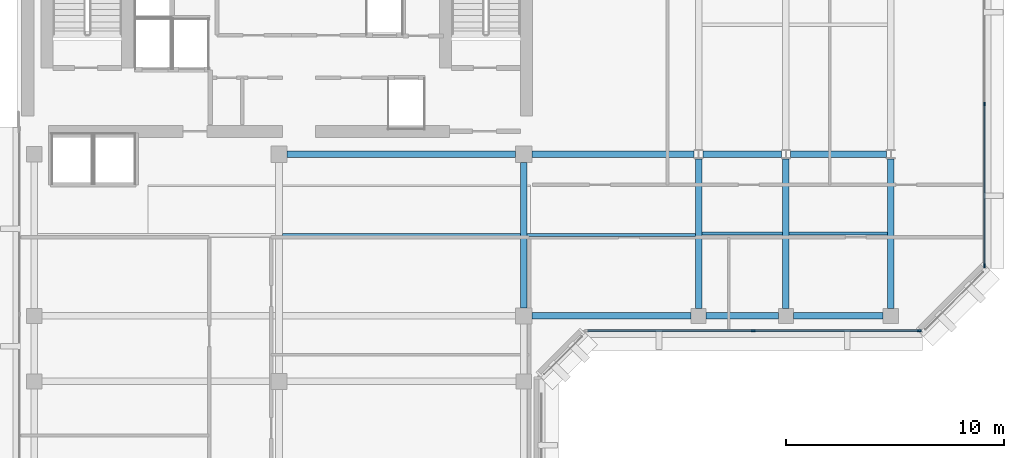
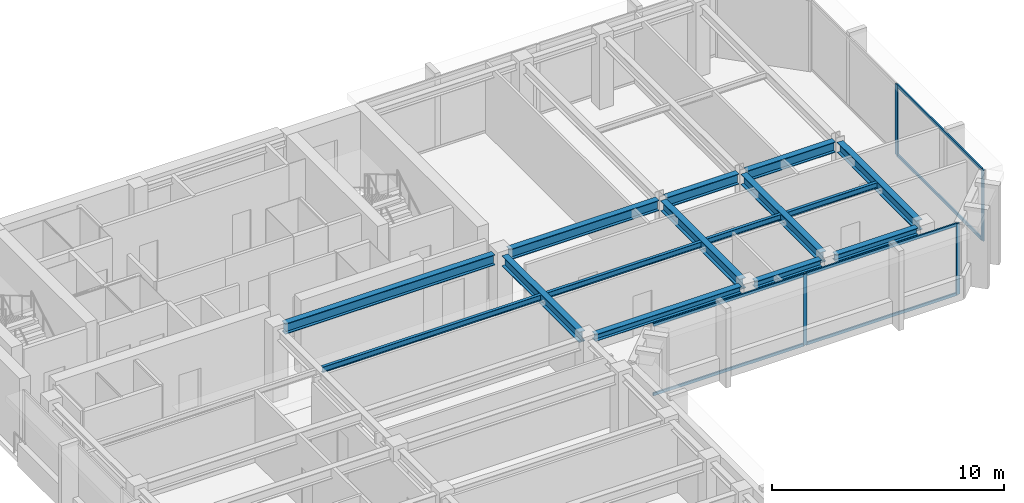
# One storey, part 3 of 11: 15 beams, 10 members, 2 elements without a shape of their own.
"""IFC4 building model written with IfcOpenShell, lengths in metres."""

from ifc_helpers import new_model, si_unit, direction, frame, origin, origin_2d, place, context, subcontext, project, spatial, rectangle, i_section, extrude, material, layer, layer_set, material_profile, profile_set, type_object, element, aggregate, save


model = new_model("IFC4")

# Units and contexts
model_context = context("Model", 3, precision=1e-05, world=origin(), true_north=direction((0.0, 1.0)))
body_context = subcontext(model_context, "Body", "Model", "MODEL_VIEW")
ifc_project = project(units=[si_unit("LENGTHUNIT", "METRE"), si_unit("AREAUNIT", "SQUARE_METRE"), si_unit("VOLUMEUNIT", "CUBIC_METRE"), si_unit("PLANEANGLEUNIT", "RADIAN"), si_unit("MASSUNIT", "GRAM", prefix="KILO")], contexts=[model_context])

# Site, building, storey
site_placement = place(None, origin())
site = spatial("IfcSite", under=ifc_project, at=site_placement, CompositionType="ELEMENT")
building_placement = place(site_placement, origin())
building = spatial("IfcBuilding", under=site, at=building_placement, Name="Kefirva Bronze Tower", CompositionType="ELEMENT")
storey_placement = place(building_placement, frame((0.0, 0.0, 307.889892578125)))
storey = spatial("IfcBuildingStorey", under=building, at=storey_placement, Name="L75", CompositionType="ELEMENT", Elevation=307.889892578125)

# Curtain wall, members
ifc_material_1 = material(Name="Bronze anodised aluminium", Category="aluminium")
ifc_layer = layer(ifc_material_1, 0.179931640625, Name="Bronze anodised aluminium")
ifc_layer_set = layer_set([ifc_layer], Name="Bronze anodised aluminium")
curtain_wall_type = type_object("IfcCurtainWallType", Name="Unitised Bronze Ribbon Curtain Wall Zone 4", PredefinedType="USERDEFINED", material=ifc_layer_set)
curtain_wall_1_placement = place(storey_placement, origin())
curtain_wall_1 = element("IfcCurtainWall", 1, at=curtain_wall_1_placement, inside=storey, type_object=curtain_wall_type, Name="L75 Curtain Wall 2", ObjectType="UNITISED CURTAIN WALL", PredefinedType="USERDEFINED")
ifc_material_profile_1 = material_profile(ifc_material_1, rectangle(XDim=0.074951171875, YDim=0.179931640625, at=origin_2d()), Name="ALU 75x180")
ifc_profile_set_1 = profile_set([ifc_material_profile_1], Name="Bronze anodised aluminium")
member_type_1 = type_object("IfcMemberType", Name="Bronze Mullion 75x180", PredefinedType="MULLION", material=ifc_profile_set_1)
member_1_placement = place(storey_placement, frame((33.699951171875, 25.1201171875, 0.0), z_axis=(0.0, 0.0, 1.0), x_axis=(0.0, 1.0, 0.0)))
member_1 = element("IfcMember", 2, at=member_1_placement, type_object=member_type_1, Name="CW-04 mullion 2", PredefinedType="MULLION", context=body_context, shape_type="SweptSolid", body=[
    extrude(rectangle(XDim=0.074951171875, YDim=0.179931640625, at=origin_2d()), origin(), (0.0, 0.0, 1.0), 3.739990234375),
])
member_2_placement = place(storey_placement, frame((41.3076171875, 25.1201171875, 0.0), z_axis=(0.0, 0.0, 1.0), x_axis=(0.0, 1.0, 0.0)))
member_2 = element("IfcMember", 3, at=member_2_placement, type_object=member_type_1, Name="CW-04 mullion 3", PredefinedType="MULLION", context=body_context, shape_type="SweptSolid", body=[
    extrude(rectangle(XDim=0.074951171875, YDim=0.179931640625, at=origin_2d()), origin(), (0.0, 0.0, 1.0), 3.739990234375),
])

curtain_wall_2_placement = place(storey_placement, origin())
curtain_wall_2 = element("IfcCurtainWall", 4, at=curtain_wall_2_placement, inside=storey, type_object=curtain_wall_type, Name="L75 Curtain Wall 3", ObjectType="UNITISED CURTAIN WALL", PredefinedType="USERDEFINED")
member_3_placement = place(storey_placement, frame((44.280029296875, 28.092529296875, 0.0), z_axis=(0.0, 0.0, 1.0), x_axis=(-1.0, 0.0, 0.0)))
member_3 = element("IfcMember", 5, at=member_3_placement, type_object=member_type_1, Name="CW-04 mullion 1", PredefinedType="MULLION", context=body_context, shape_type="SweptSolid", body=[
    extrude(rectangle(XDim=0.074951171875, YDim=0.179931640625, at=origin_2d()), origin(), (0.0, 0.0, 1.0), 3.739990234375),
])
member_4_placement = place(storey_placement, frame((44.280029296875, 35.5, 0.0), z_axis=(0.0, 0.0, 1.0), x_axis=(-1.0, 0.0, 0.0)))
member_4 = element("IfcMember", 6, at=member_4_placement, type_object=member_type_1, Name="CW-04 mullion 2", PredefinedType="MULLION", context=body_context, shape_type="SweptSolid", body=[
    extrude(rectangle(XDim=0.074951171875, YDim=0.179931640625, at=origin_2d()), origin(), (0.0, 0.0, 1.0), 3.739990234375),
])

# Member
ifc_material_profile_2 = material_profile(ifc_material_1, rectangle(XDim=0.074951171875, YDim=0.14990234375, at=origin_2d()), Name="ALU 75x150")
ifc_profile_set_2 = profile_set([ifc_material_profile_2], Name="Bronze anodised aluminium")
member_type_2 = type_object("IfcMemberType", Name="Bronze Transom 75x150", PredefinedType="USERDEFINED", material=ifc_profile_set_2)
member_5_placement = place(storey_placement, frame((26.1298828125, 25.1201171875, 0.03759765625), z_axis=(1.0, 0.0, 0.0), x_axis=(0.0, 1.0, 0.0)))
member_5 = element("IfcMember", 7, at=member_5_placement, type_object=member_type_2, Name="CW-04 transom 1.1", ObjectType="TRANSOM", PredefinedType="USERDEFINED", context=body_context, shape_type="SweptSolid", body=[
    extrude(rectangle(XDim=0.074951171875, YDim=0.14990234375, at=origin_2d()), origin(), (0.0, 0.0, 1.0), 7.53271484375),
])

member_6_placement = place(storey_placement, frame((26.1298828125, 25.1201171875, 3.70263671875), z_axis=(1.0, 0.0, 0.0), x_axis=(0.0, 1.0, 0.0)))
member_6 = element("IfcMember", 8, at=member_6_placement, type_object=member_type_2, Name="CW-04 transom 1.2", ObjectType="TRANSOM", PredefinedType="USERDEFINED", context=body_context, shape_type="SweptSolid", body=[
    extrude(rectangle(XDim=0.074951171875, YDim=0.14990234375, at=origin_2d()), origin(), (0.0, 0.0, 1.0), 7.53271484375),
])

member_7_placement = place(storey_placement, frame((33.737548828125, 25.1201171875, 0.03759765625), z_axis=(1.0, 0.0, 0.0), x_axis=(0.0, 1.0, 0.0)))
member_7 = element("IfcMember", 9, at=member_7_placement, type_object=member_type_2, Name="CW-04 transom 2.1", ObjectType="TRANSOM", PredefinedType="USERDEFINED", context=body_context, shape_type="SweptSolid", body=[
    extrude(rectangle(XDim=0.074951171875, YDim=0.14990234375, at=origin_2d()), origin(), (0.0, 0.0, 1.0), 7.532470703125),
])

member_8_placement = place(storey_placement, frame((33.737548828125, 25.1201171875, 3.70263671875), z_axis=(1.0, 0.0, 0.0), x_axis=(0.0, 1.0, 0.0)))
member_8 = element("IfcMember", 10, at=member_8_placement, type_object=member_type_2, Name="CW-04 transom 2.2", ObjectType="TRANSOM", PredefinedType="USERDEFINED", context=body_context, shape_type="SweptSolid", body=[
    extrude(rectangle(XDim=0.074951171875, YDim=0.14990234375, at=origin_2d()), origin(), (0.0, 0.0, 1.0), 7.532470703125),
])

aggregate(curtain_wall_1, [member_1, member_2, member_5, member_6, member_7, member_8])

member_9_placement = place(storey_placement, frame((44.280029296875, 28.1298828125, 0.03759765625), z_axis=(0.0, 1.0, 0.0), x_axis=(-1.0, 0.0, 0.0)))
member_9 = element("IfcMember", 11, at=member_9_placement, type_object=member_type_2, Name="CW-04 transom 1.1", ObjectType="TRANSOM", PredefinedType="USERDEFINED", context=body_context, shape_type="SweptSolid", body=[
    extrude(rectangle(XDim=0.074951171875, YDim=0.14990234375, at=origin_2d()), origin(), (0.0, 0.0, 1.0), 7.33251953125),
])

member_10_placement = place(storey_placement, frame((44.280029296875, 28.1298828125, 3.70263671875), z_axis=(0.0, 1.0, 0.0), x_axis=(-1.0, 0.0, 0.0)))
member_10 = element("IfcMember", 12, at=member_10_placement, type_object=member_type_2, Name="CW-04 transom 1.2", ObjectType="TRANSOM", PredefinedType="USERDEFINED", context=body_context, shape_type="SweptSolid", body=[
    extrude(rectangle(XDim=0.074951171875, YDim=0.14990234375, at=origin_2d()), origin(), (0.0, 0.0, 1.0), 7.33251953125),
])

aggregate(curtain_wall_2, [member_3, member_4, member_9, member_10])

# Beams
ifc_material_2 = material(Name="Steel S355", Category="steel")
ifc_material_profile_3 = material_profile(ifc_material_2, i_section(OverallWidth=0.14990234375, OverallDepth=0.300048828125, WebThickness=0.007080078125, FlangeThickness=0.0107421875, at=origin_2d()), Name="IPE 300")
ifc_profile_set_3 = profile_set([ifc_material_profile_3], Name="Steel S355")
beam_type_1 = type_object("IfcBeamType", Name="Steel Floor Joist IPE 300", PredefinedType="JOIST", material=ifc_profile_set_3)
beam_1_placement = place(storey_placement, frame((12.14990234375, 29.5, 3.590087890625), z_axis=(1.0, 0.0, 0.0), x_axis=(0.0, 1.0, 0.0)))
element("IfcBeam", 13, at=beam_1_placement, inside=storey, type_object=beam_type_1, Name="L75 JST-L75-12-295", PredefinedType="JOIST", context=body_context, shape_type="SweptSolid", body=[
    extrude(i_section(OverallWidth=0.14990234375, OverallDepth=0.300048828125, WebThickness=0.007080078125, FlangeThickness=0.0107421875, at=origin_2d()), origin(), (0.0, 0.0, 1.0), 10.900146484375),
])
beam_2_placement = place(storey_placement, frame((23.35009765625, 29.5, 3.590087890625), z_axis=(1.0, 0.0, 0.0), x_axis=(0.0, 1.0, 0.0)))
element("IfcBeam", 14, at=beam_2_placement, inside=storey, type_object=beam_type_1, Name="L75 JST-L75-23-295", PredefinedType="JOIST", context=body_context, shape_type="SweptSolid", body=[
    extrude(i_section(OverallWidth=0.14990234375, OverallDepth=0.300048828125, WebThickness=0.007080078125, FlangeThickness=0.0107421875, at=origin_2d()), origin(), (0.0, 0.0, 1.0), 7.699951171875),
])
beam_3_placement = place(storey_placement, frame((31.35009765625, 29.571044921875, 3.590087890625), z_axis=(1.0, 0.0, 0.0), x_axis=(0.0, 1.0, 0.0)))
element("IfcBeam", 15, at=beam_3_placement, inside=storey, type_object=beam_type_1, Name="L75 JST-L75-31-295", PredefinedType="JOIST", context=body_context, shape_type="SweptSolid", body=[
    extrude(i_section(OverallWidth=0.14990234375, OverallDepth=0.300048828125, WebThickness=0.007080078125, FlangeThickness=0.0107421875, at=origin_2d()), origin(), (0.0, 0.0, 1.0), 3.699951171875),
])
beam_4_placement = place(storey_placement, frame((35.35009765625, 29.571044921875, 3.590087890625), z_axis=(1.0, 0.0, 0.0), x_axis=(0.0, 1.0, 0.0)))
element("IfcBeam", 16, at=beam_4_placement, inside=storey, type_object=beam_type_1, Name="L75 JST-L75-35-295", PredefinedType="JOIST", context=body_context, shape_type="SweptSolid", body=[
    extrude(i_section(OverallWidth=0.14990234375, OverallDepth=0.300048828125, WebThickness=0.007080078125, FlangeThickness=0.0107421875, at=origin_2d()), origin(), (0.0, 0.0, 1.0), 4.5),
])
ifc_material_profile_4 = material_profile(ifc_material_2, i_section(OverallWidth=0.300048828125, OverallDepth=0.550048828125, WebThickness=0.014892578125, FlangeThickness=0.029052734375, at=origin_2d()), Name="HEB 550")
ifc_profile_set_4 = profile_set([ifc_material_profile_4], Name="Steel S355")
beam_type_2 = type_object("IfcBeamType", Name="Steel Girder HEB 550", PredefinedType="USERDEFINED", material=ifc_profile_set_4)
beam_5_placement = place(storey_placement, frame((12.3701171875, 33.199951171875, 3.465087890625), z_axis=(1.0, 0.0, 0.0), x_axis=(0.0, 1.0, 0.0)))
element("IfcBeam", 17, at=beam_5_placement, inside=storey, type_object=beam_type_2, Name="L75 BM-L75-EW-12-332", ObjectType="GIRDER", PredefinedType="USERDEFINED", context=body_context, shape_type="SweptSolid", body=[
    extrude(i_section(OverallWidth=0.300048828125, OverallDepth=0.550048828125, WebThickness=0.014892578125, FlangeThickness=0.029052734375, at=origin_2d()), origin(), (0.0, 0.0, 1.0), 10.4599609375),
])
beam_6_placement = place(storey_placement, frame((23.570068359375, 33.199951171875, 3.465087890625), z_axis=(1.0, 0.0, 0.0), x_axis=(0.0, 1.0, 0.0)))
element("IfcBeam", 18, at=beam_6_placement, inside=storey, type_object=beam_type_2, Name="L75 BM-L75-EW-23-332", ObjectType="GIRDER", PredefinedType="USERDEFINED", context=body_context, shape_type="SweptSolid", body=[
    extrude(i_section(OverallWidth=0.300048828125, OverallDepth=0.550048828125, WebThickness=0.014892578125, FlangeThickness=0.029052734375, at=origin_2d()), origin(), (0.0, 0.0, 1.0), 7.427001953125),
])
beam_7_placement = place(storey_placement, frame((31.403076171875, 33.199951171875, 3.465087890625), z_axis=(1.0, 0.0, 0.0), x_axis=(0.0, 1.0, 0.0)))
element("IfcBeam", 19, at=beam_7_placement, inside=storey, type_object=beam_type_2, Name="L75 BM-L75-EW-31-332", ObjectType="GIRDER", PredefinedType="USERDEFINED", context=body_context, shape_type="SweptSolid", body=[
    extrude(i_section(OverallWidth=0.300048828125, OverallDepth=0.550048828125, WebThickness=0.014892578125, FlangeThickness=0.029052734375, at=origin_2d()), origin(), (0.0, 0.0, 1.0), 3.593994140625),
])
beam_8_placement = place(storey_placement, frame((35.403076171875, 33.199951171875, 3.465087890625), z_axis=(1.0, 0.0, 0.0), x_axis=(0.0, 1.0, 0.0)))
element("IfcBeam", 20, at=beam_8_placement, inside=storey, type_object=beam_type_2, Name="L75 BM-L75-EW-35-332", ObjectType="GIRDER", PredefinedType="USERDEFINED", context=body_context, shape_type="SweptSolid", body=[
    extrude(i_section(OverallWidth=0.300048828125, OverallDepth=0.550048828125, WebThickness=0.014892578125, FlangeThickness=0.029052734375, at=origin_2d()), origin(), (0.0, 0.0, 1.0), 4.39404296875),
])
beam_9_placement = place(storey_placement, frame((23.199951171875, 26.169921875, 3.465087890625), z_axis=(0.0, 1.0, 0.0), x_axis=(-1.0, 0.0, 0.0)))
element("IfcBeam", 21, at=beam_9_placement, inside=storey, type_object=beam_type_2, Name="L75 BM-L75-NS-232-25", ObjectType="GIRDER", PredefinedType="USERDEFINED", context=body_context, shape_type="SweptSolid", body=[
    extrude(i_section(OverallWidth=0.300048828125, OverallDepth=0.550048828125, WebThickness=0.014892578125, FlangeThickness=0.029052734375, at=origin_2d()), origin(), (0.0, 0.0, 1.0), 6.66015625),
])
for number, where, z_axis, x_axis, name in (
    (22, (31.199951171875, 26.14990234375, 3.465087890625), (0.0, 1.0, 0.0), (-1.0, 0.0, 0.0), "L75 BM-L75-NS-312-25"),
    (23, (35.199951171875, 26.14990234375, 3.465087890625), (0.0, 1.0, 0.0), (-1.0, 0.0, 0.0), "L75 BM-L75-NS-352-25"),
    (24, (40.0, 26.14990234375, 3.465087890625), (0.0, 1.0, 0.0), (-1.0, 0.0, 0.0), "L75 BM-L75-NS-400-25"),
):
    element("IfcBeam", number, at=place(storey_placement, frame(where, z_axis=z_axis, x_axis=x_axis)), inside=storey, type_object=beam_type_2, Name=name, ObjectType="GIRDER", PredefinedType="USERDEFINED", context=body_context, shape_type="SweptSolid", body=[
        extrude(i_section(OverallWidth=0.300048828125, OverallDepth=0.550048828125, WebThickness=0.014892578125, FlangeThickness=0.029052734375, at=origin_2d()), origin(), (0.0, 0.0, 1.0), 6.842041015625),
    ])
ifc_material_profile_5 = material_profile(ifc_material_2, i_section(OverallWidth=0.300048828125, OverallDepth=0.360107421875, WebThickness=0.012451171875, FlangeThickness=0.0224609375, at=origin_2d()), Name="HEB 360")
ifc_profile_set_5 = profile_set([ifc_material_profile_5], Name="Steel S355")
beam_type_3 = type_object("IfcBeamType", Name="Steel Spandrel HEB 360 Ext", PredefinedType="SPANDREL", material=ifc_profile_set_5)
beam_10_placement = place(storey_placement, frame((23.570068359375, 25.800048828125, 3.56005859375), z_axis=(1.0, 0.0, 0.0), x_axis=(0.0, 1.0, 0.0)))
element("IfcBeam", 25, at=beam_10_placement, inside=storey, type_object=beam_type_3, Name="L75 BM-L75-EW-23-258", PredefinedType="SPANDREL", context=body_context, shape_type="SweptSolid", body=[
    extrude(i_section(OverallWidth=0.300048828125, OverallDepth=0.360107421875, WebThickness=0.012451171875, FlangeThickness=0.0224609375, at=origin_2d()), origin(), (0.0, 0.0, 1.0), 7.280029296875),
])
beam_11_placement = place(storey_placement, frame((31.550048828125, 25.800048828125, 3.56005859375), z_axis=(1.0, 0.0, 0.0), x_axis=(0.0, 1.0, 0.0)))
element("IfcBeam", 26, at=beam_11_placement, inside=storey, type_object=beam_type_3, Name="L75 BM-L75-EW-31-258", PredefinedType="SPANDREL", context=body_context, shape_type="SweptSolid", body=[
    extrude(i_section(OverallWidth=0.300048828125, OverallDepth=0.360107421875, WebThickness=0.012451171875, FlangeThickness=0.0224609375, at=origin_2d()), origin(), (0.0, 0.0, 1.0), 3.300048828125),
])
beam_12_placement = place(storey_placement, frame((35.550048828125, 25.800048828125, 3.56005859375), z_axis=(1.0, 0.0, 0.0), x_axis=(0.0, 1.0, 0.0)))
element("IfcBeam", 27, at=beam_12_placement, inside=storey, type_object=beam_type_3, Name="L75 BM-L75-EW-35-258", PredefinedType="SPANDREL", context=body_context, shape_type="SweptSolid", body=[
    extrude(i_section(OverallWidth=0.300048828125, OverallDepth=0.360107421875, WebThickness=0.012451171875, FlangeThickness=0.0224609375, at=origin_2d()), origin(), (0.0, 0.0, 1.0), 4.099853515625),
])

save(model, "model.ifc")
